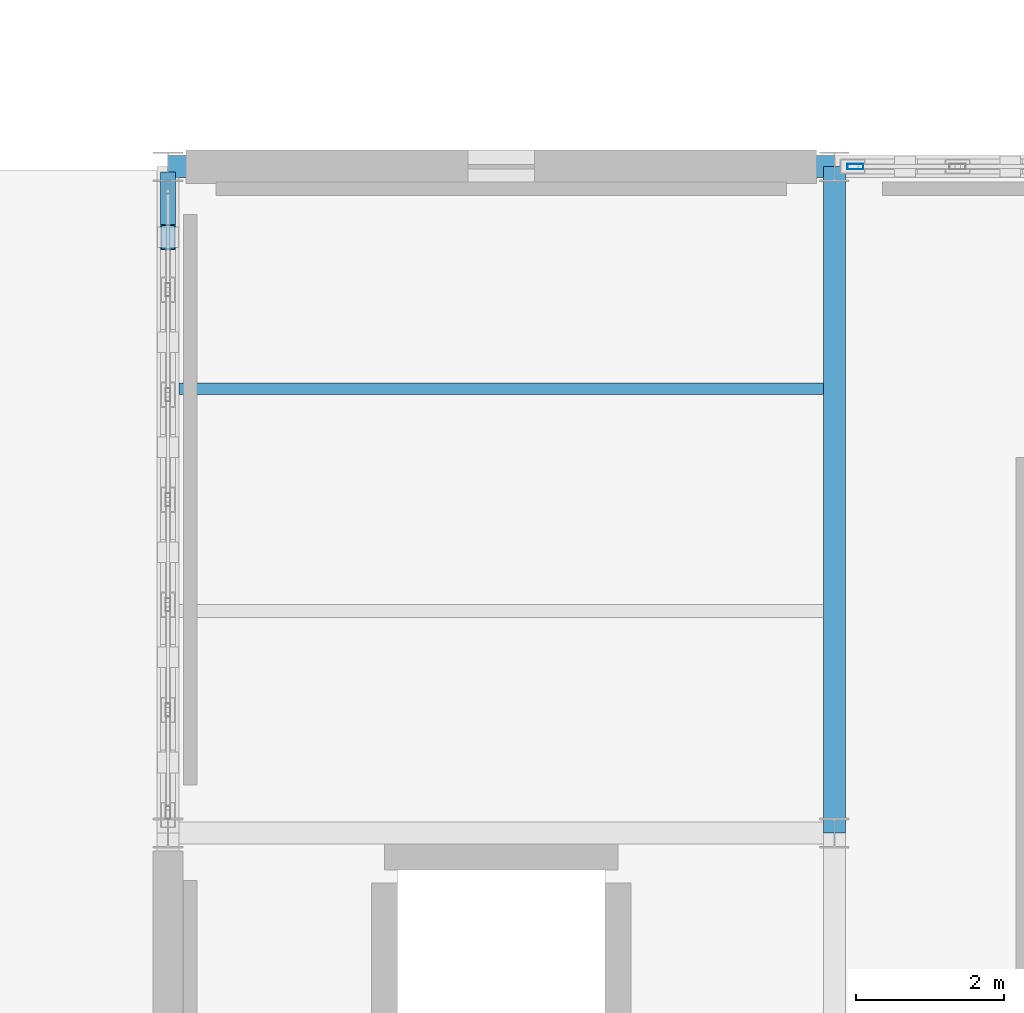
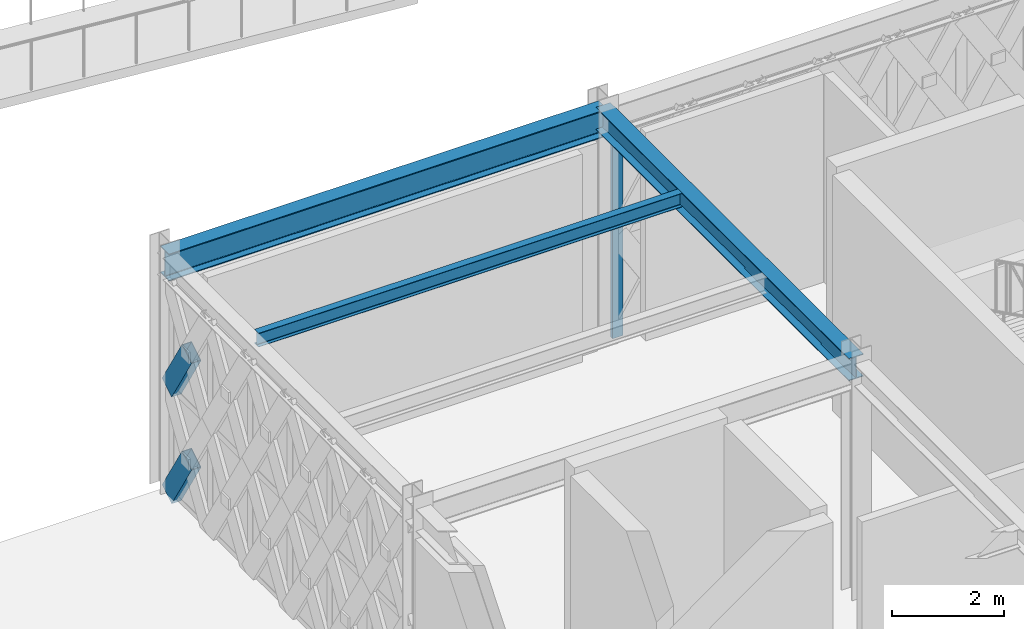
# One storey, part 66 of 140: 3 beams, 3 members, 1 element without a shape of its own.
"""IFC4 building model written with IfcOpenShell, lengths in metres."""

from ifc_helpers import new_model, si_unit, direction, frame, origin, origin_2d, place, context, subcontext, project, spatial, hollow_rectangle, i_section, extrude, material, material_profile, profile_set, type_object, element, aggregate, save


model = new_model("IFC4")

# Units and contexts
model_context = context("Model", 3, precision=1e-05, world=origin(), true_north=direction((0.0, 1.0)))
body_context = subcontext(model_context, "Body", "Model", "MODEL_VIEW")
ifc_project = project(units=[si_unit("LENGTHUNIT", "METRE"), si_unit("AREAUNIT", "SQUARE_METRE"), si_unit("VOLUMEUNIT", "CUBIC_METRE"), si_unit("PLANEANGLEUNIT", "RADIAN"), si_unit("MASSUNIT", "GRAM", prefix="KILO")], contexts=[model_context])

# Site, building, storey
site_placement = place(None, origin())
site = spatial("IfcSite", under=ifc_project, at=site_placement, CompositionType="ELEMENT")
building_placement = place(site_placement, origin())
building = spatial("IfcBuilding", under=site, at=building_placement, Name="Haizhuo Lancet Aquarium", CompositionType="ELEMENT")
storey_placement = place(building_placement, origin())
storey = spatial("IfcBuildingStorey", under=building, at=storey_placement, Name="L00", CompositionType="ELEMENT", Elevation=0.0)

# Beams
ifc_material_1 = material(Name="Steel S355", Category="steel")
ifc_material_profile_1 = material_profile(ifc_material_1, i_section(OverallWidth=0.300048828125, OverallDepth=0.488037109375, WebThickness=0.010986328125, FlangeThickness=0.01806640625, FilletRadius=0.02392578125, at=origin_2d()), Name="HM 488x300x11x18")
ifc_profile_set_1 = profile_set([ifc_material_profile_1], Name="Steel S355")
beam_type_1 = type_object("IfcBeamType", Name="BM-ST-HM488", PredefinedType="BEAM", material=ifc_profile_set_1)
beam_1_placement = place(storey_placement, frame((45.0, 27.0, 4.8759765625), z_axis=(0.0, 1.0, 0.0), x_axis=(-1.0, 0.0, 0.0)))
element("IfcBeam", 1, at=beam_1_placement, inside=storey, type_object=beam_type_1, Name="L00 V7 primary girder BM-L00-V7-010", PredefinedType="BEAM", context=body_context, shape_type="SweptSolid", body=[
    extrude(i_section(OverallWidth=0.300048828125, OverallDepth=0.488037109375, WebThickness=0.010986328125, FlangeThickness=0.01806640625, FilletRadius=0.02392578125, at=origin_2d()), origin(), (0.0, 0.0, 1.0), 9.0),
])
ifc_material_profile_2 = material_profile(ifc_material_1, i_section(OverallWidth=0.300048828125, OverallDepth=0.587890625, WebThickness=0.011962890625, FlangeThickness=0.02001953125, FilletRadius=0.02587890625, at=origin_2d()), Name="HM 588x300x12x20")
ifc_profile_set_2 = profile_set([ifc_material_profile_2], Name="Steel S355")
beam_type_2 = type_object("IfcBeamType", Name="BM-ST-HM588", PredefinedType="BEAM", material=ifc_profile_set_2)
beam_2_placement = place(storey_placement, frame((36.0, 36.0, 4.825927734375), z_axis=(1.0, 0.0, 0.0), x_axis=(0.0, 1.0, 0.0)))
element("IfcBeam", 2, at=beam_2_placement, inside=storey, type_object=beam_type_2, Name="L00 V7 primary girder BM-L00-V7-006", PredefinedType="BEAM", context=body_context, shape_type="SweptSolid", body=[
    extrude(i_section(OverallWidth=0.300048828125, OverallDepth=0.587890625, WebThickness=0.011962890625, FlangeThickness=0.02001953125, FilletRadius=0.02587890625, at=origin_2d()), origin(), (0.0, 0.0, 1.0), 9.0),
])

# Curtain wall, member
ifc_material_2 = material(Name="Aluminium 6063-T6", Category="aluminium")
curtain_wall_type = type_object("IfcCurtainWallType", Name="CWD-8510x4530", PredefinedType="NOTDEFINED", material=ifc_material_2)
curtain_wall_placement = place(storey_placement, origin())
curtain_wall = element("IfcCurtainWall", 3, at=curtain_wall_placement, inside=storey, type_object=curtain_wall_type, Name="L00 curtain wall CW-V7-L00-272", PredefinedType="NOTDEFINED")
ifc_material_profile_3 = material_profile(ifc_material_2, hollow_rectangle(XDim=0.074951171875, YDim=0.219970703125, WallThickness=0.0048828125, at=origin_2d()), Name="ALU-M 75x220x5")
ifc_profile_set_3 = profile_set([ifc_material_profile_3], Name="Aluminium 6063-T6")
member_type_1 = type_object("IfcMemberType", Name="CW-MUL-2", PredefinedType="MULLION", material=ifc_profile_set_3)
member_1_placement = place(storey_placement, frame((45.281982421875, 36.0, 0.0), z_axis=(0.0, 0.0, 1.0), x_axis=(0.0, 1.0, 0.0)))
member_1 = element("IfcMember", 4, at=member_1_placement, type_object=member_type_1, Name="CWD-85x45 mullion 1", PredefinedType="MULLION", context=body_context, shape_type="SweptSolid", body=[
    extrude(hollow_rectangle(XDim=0.074951171875, YDim=0.219970703125, WallThickness=0.0048828125, at=origin_2d()), origin(), (0.0, 0.0, 1.0), 4.531982421875),
])
aggregate(curtain_wall, [member_1])

# Beam
ifc_material_profile_4 = material_profile(ifc_material_1, i_section(OverallWidth=0.14990234375, OverallDepth=0.300048828125, WebThickness=0.006591796875, FlangeThickness=0.009033203125, FilletRadius=0.012939453125, at=origin_2d()), Name="HN 300x150x6.5x9")
ifc_profile_set_4 = profile_set([ifc_material_profile_4], Name="Steel S355")
beam_type_3 = type_object("IfcBeamType", Name="JST-ST-HN300", PredefinedType="JOIST", material=ifc_profile_set_4)
beam_3_placement = place(storey_placement, frame((36.14990234375, 33.0, 4.969970703125), z_axis=(1.0, 0.0, 0.0), x_axis=(0.0, 1.0, 0.0)))
element("IfcBeam", 5, at=beam_3_placement, inside=storey, type_object=beam_type_3, Name="L00 V7 secondary floor joist 3", PredefinedType="JOIST", context=body_context, shape_type="SweptSolid", body=[
    extrude(i_section(OverallWidth=0.14990234375, OverallDepth=0.300048828125, WebThickness=0.006591796875, FlangeThickness=0.009033203125, FilletRadius=0.012939453125, at=origin_2d()), origin(), (0.0, 0.0, 1.0), 8.7001953125),
])

# Members
ifc_material_profile_5 = material_profile(ifc_material_1, hollow_rectangle(XDim=0.199951171875, YDim=0.39990234375, WallThickness=0.011962890625, at=origin_2d()), Name="RHS 200x400x12")
ifc_profile_set_5 = profile_set([ifc_material_profile_5], Name="Steel S355")
member_type_2 = type_object("IfcMemberType", Name="MEM-LB-RHS200x400", PredefinedType="BRACE", material=ifc_profile_set_5)
member_2_placement = place(storey_placement, frame((36.0, 35.7548828125, 0.0), z_axis=(0.0, -0.52216987418, 0.852841499048), x_axis=(1.0, 0.0, 0.0)))
element("IfcMember", 6, at=member_2_placement, inside=storey, type_object=member_type_2, Name="Gothic lancet split diagonal brace CW-V7-L00-283 11B1", PredefinedType="BRACE", context=body_context, shape_type="SweptSolid", body=[
    extrude(hollow_rectangle(XDim=0.199951171875, YDim=0.39990234375, WallThickness=0.011962890625, at=origin_2d()), origin(), (0.0, 0.0, 1.0), 1.357666015625),
])
member_3_placement = place(storey_placement, frame((36.0, 35.7548828125, 2.31591796875), z_axis=(0.0, -0.522089809454, 0.852890515168), x_axis=(1.0, 0.0, 0.0)))
element("IfcMember", 7, at=member_3_placement, inside=storey, type_object=member_type_2, Name="Gothic lancet split diagonal brace CW-V7-L00-283 12B1", PredefinedType="BRACE", context=body_context, shape_type="SweptSolid", body=[
    extrude(hollow_rectangle(XDim=0.199951171875, YDim=0.39990234375, WallThickness=0.011962890625, at=origin_2d()), origin(), (0.0, 0.0, 1.0), 1.35791015625),
])

save(model, "model.ifc")
